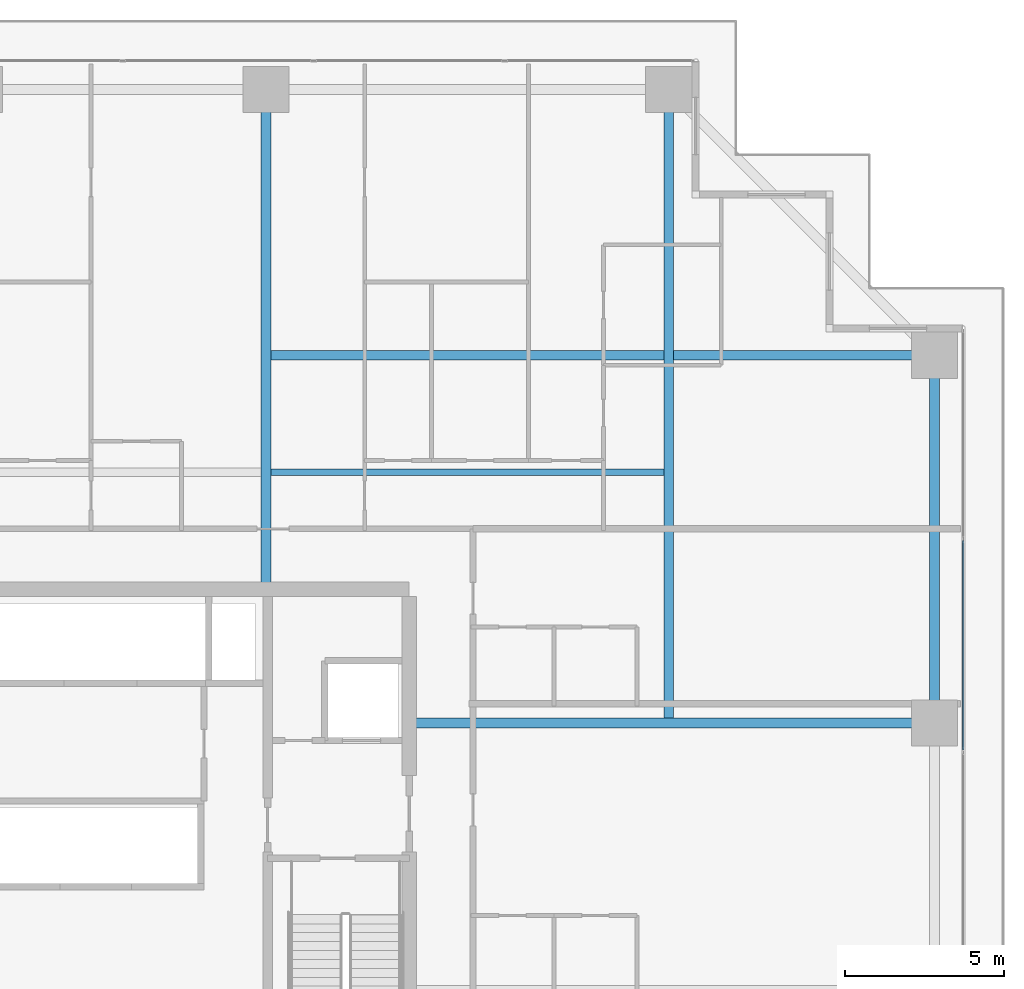
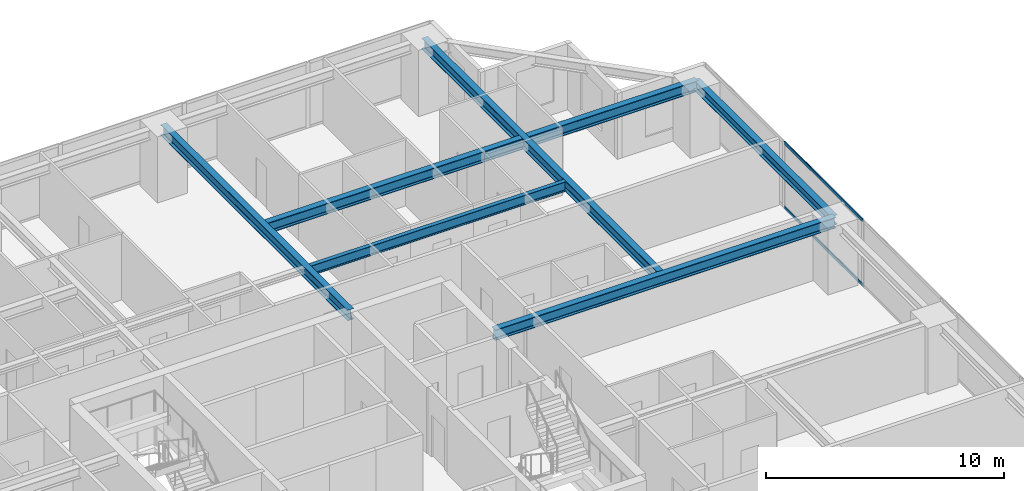
# One storey, part 22 of 40: 6 beams, 2 members, 1 element without a shape of its own.
"""IFC4 building model written with IfcOpenShell, lengths in metres."""

from ifc_helpers import new_model, si_unit, direction, frame, origin, origin_2d, place, context, subcontext, project, spatial, hollow_rectangle, i_section, extrude, source, transform, mapped, material, layer, layer_set, material_profile, profile_set, type_object, element, aggregate, save


model = new_model("IFC4")

# Units and contexts
model_context = context("Model", 3, precision=1e-05, world=origin(), true_north=direction((0.0, 1.0)))
body_context = subcontext(model_context, "Body", "Model", "MODEL_VIEW")
ifc_project = project(units=[si_unit("LENGTHUNIT", "METRE"), si_unit("AREAUNIT", "SQUARE_METRE"), si_unit("VOLUMEUNIT", "CUBIC_METRE"), si_unit("PLANEANGLEUNIT", "RADIAN"), si_unit("MASSUNIT", "GRAM", prefix="KILO")], contexts=[model_context])

# Site, building, storey
site_placement = place(None, origin())
site = spatial("IfcSite", under=ifc_project, at=site_placement, CompositionType="ELEMENT")
building_placement = place(site_placement, origin())
building = spatial("IfcBuilding", under=site, at=building_placement, Name="Serunith Strait Residences", CompositionType="ELEMENT")
storey_placement = place(building_placement, frame((0.0, 0.0, 105.449951171875)))
storey = spatial("IfcBuildingStorey", under=building, at=storey_placement, Name="L26", CompositionType="ELEMENT", Elevation=105.449951171875)

# Beams
ifc_material_1 = material(Name="Steel S355J2", Category="steel")
ifc_material_profile_1 = material_profile(ifc_material_1, i_section(OverallWidth=0.300048828125, OverallDepth=0.550048828125, WebThickness=0.014892578125, FlangeThickness=0.029052734375, FilletRadius=0.027099609375, at=origin_2d()), Name="HEB 550")
ifc_profile_set_1 = profile_set([ifc_material_profile_1], Name="Steel S355J2")
beam_type_1 = type_object("IfcBeamType", Name="BM-HEB550", PredefinedType="BEAM", material=ifc_profile_set_1)
shared_shape_1 = source(origin(), body_context, "Body", "SweptSolid", [
    extrude(i_section(OverallWidth=0.300048828125, OverallDepth=0.550048828125, WebThickness=0.014892578125, FlangeThickness=0.029052734375, FilletRadius=0.027099609375, at=origin_2d()), origin(), (0.0, 0.0, 1.0), 15.699951171875),
])
beam_1_placement = place(storey_placement, frame((36.89990234375, 33.60009765625, 3.112060546875), z_axis=(0.0, 1.0, 0.0), x_axis=(-1.0, 0.0, 0.0)))
element("IfcBeam", 1, at=beam_1_placement, inside=storey, type_object=beam_type_1, Name="L26 Primary Floor Girder TC-N3", PredefinedType="BEAM", context=body_context, shape_type="MappedRepresentation", body=[
    mapped(shared_shape_1, transform((0.0, 0.0, 0.0), scale=1.0)),
])
shared_shape_2 = source(origin(), body_context, "Body", "SweptSolid", [
    extrude(i_section(OverallWidth=0.300048828125, OverallDepth=0.550048828125, WebThickness=0.014892578125, FlangeThickness=0.029052734375, FilletRadius=0.027099609375, at=origin_2d()), origin(), (0.0, 0.0, 1.0), 16.5),
])
beam_2_placement = place(storey_placement, frame((41.39990234375, 29.39990234375, 3.112060546875), z_axis=(1.0, 0.0, 0.0), x_axis=(0.0, 1.0, 0.0)))
element("IfcBeam", 2, at=beam_2_placement, inside=storey, type_object=beam_type_1, Name="L26 Primary Floor Girder TC-E3", PredefinedType="BEAM", context=body_context, shape_type="MappedRepresentation", body=[
    mapped(shared_shape_2, transform((0.0, 0.0, 0.0), scale=1.0)),
])
shared_shape_3 = source(origin(), body_context, "Body", "SweptSolid", [
    extrude(i_section(OverallWidth=0.300048828125, OverallDepth=0.550048828125, WebThickness=0.014892578125, FlangeThickness=0.029052734375, FilletRadius=0.027099609375, at=origin_2d()), origin(), (0.0, 0.0, 1.0), 19.900146484375),
])
beam_3_placement = place(storey_placement, frame((49.550048828125, 29.39990234375, 3.112060546875), z_axis=(0.0, 1.0, 0.0), x_axis=(-1.0, 0.0, 0.0)))
element("IfcBeam", 3, at=beam_3_placement, inside=storey, type_object=beam_type_1, Name="L26 Orthogonal Corner Girder TC-N4", PredefinedType="BEAM", context=body_context, shape_type="MappedRepresentation", body=[
    mapped(shared_shape_3, transform((0.0, 0.0, 0.0), scale=1.0)),
])
shared_shape_4 = source(origin(), body_context, "Body", "SweptSolid", [
    extrude(i_section(OverallWidth=0.300048828125, OverallDepth=0.550048828125, WebThickness=0.014892578125, FlangeThickness=0.029052734375, FilletRadius=0.027099609375, at=origin_2d()), origin(), (0.0, 0.0, 1.0), 21.0),
])
beam_4_placement = place(storey_placement, frame((36.89990234375, 40.949951171875, 3.112060546875), z_axis=(1.0, 0.0, 0.0), x_axis=(0.0, 1.0, 0.0)))
element("IfcBeam", 4, at=beam_4_placement, inside=storey, type_object=beam_type_1, Name="L26 Orthogonal Corner Girder TC-E4", PredefinedType="BEAM", context=body_context, shape_type="MappedRepresentation", body=[
    mapped(shared_shape_4, transform((0.0, 0.0, 0.0), scale=1.0)),
])
ifc_material_profile_2 = material_profile(ifc_material_1, i_section(OverallWidth=0.300048828125, OverallDepth=0.5, WebThickness=0.014404296875, FlangeThickness=0.028076171875, FilletRadius=0.027099609375, at=origin_2d()), Name="HEB 500")
ifc_profile_set_2 = profile_set([ifc_material_profile_2], Name="Steel S355J2")
beam_type_2 = type_object("IfcBeamType", Name="BM-HEB500", PredefinedType="BEAM", material=ifc_profile_set_2)
shared_shape_5 = source(origin(), body_context, "Body", "SweptSolid", [
    extrude(i_section(OverallWidth=0.300048828125, OverallDepth=0.5, WebThickness=0.014404296875, FlangeThickness=0.028076171875, FilletRadius=0.027099609375, at=origin_2d()), origin(), (0.0, 0.0, 1.0), 11.550048828125),
])
beam_5_placement = place(storey_placement, frame((57.89990234375, 29.39990234375, 3.136962890625), z_axis=(0.0, 1.0, 0.0), x_axis=(-1.0, 0.0, 0.0)))
element("IfcBeam", 5, at=beam_5_placement, inside=storey, type_object=beam_type_2, Name="L26 Perimeter Ring Beam 07", PredefinedType="BEAM", context=body_context, shape_type="MappedRepresentation", body=[
    mapped(shared_shape_5, transform((0.0, 0.0, 0.0), scale=1.0)),
])
ifc_material_profile_3 = material_profile(ifc_material_1, i_section(OverallWidth=0.199951171875, OverallDepth=0.5, WebThickness=0.01025390625, FlangeThickness=0.01611328125, FilletRadius=0.02099609375, at=origin_2d()), Name="IPE 500")
ifc_profile_set_3 = profile_set([ifc_material_profile_3], Name="Steel S355J2")
beam_type_3 = type_object("IfcBeamType", Name="BM-IPE500", PredefinedType="JOIST", material=ifc_profile_set_3)
shared_shape_6 = source(origin(), body_context, "Body", "SweptSolid", [
    extrude(i_section(OverallWidth=0.199951171875, OverallDepth=0.5, WebThickness=0.01025390625, FlangeThickness=0.01611328125, FilletRadius=0.02099609375, at=origin_2d()), origin(), (0.0, 0.0, 1.0), 12.349853515625),
])
beam_6_placement = place(storey_placement, frame((37.050048828125, 37.27490234375, 3.136962890625), z_axis=(1.0, 0.0, 0.0), x_axis=(0.0, 1.0, 0.0)))
element("IfcBeam", 6, at=beam_6_placement, inside=storey, type_object=beam_type_3, Name="L26 Composite Floor Joist 06", PredefinedType="JOIST", context=body_context, shape_type="MappedRepresentation", body=[
    mapped(shared_shape_6, transform((0.0, 0.0, 0.0), scale=1.0)),
])

# Curtain wall, members
ifc_material_2 = material(Name="Pale-Champagne Anodised Aluminium", Category="aluminium")
ifc_layer = layer(ifc_material_2, 0.199951171875, Name="Pale-Champagne Anodised Aluminium")
ifc_layer_set = layer_set([ifc_layer], Name="Pale-Champagne Anodised Aluminium")
curtain_wall_type = type_object("IfcCurtainWallType", Name="CW-SYS1", PredefinedType="NOTDEFINED", material=ifc_layer_set)
curtain_wall_placement = place(storey_placement, origin())
curtain_wall = element("IfcCurtainWall", 7, at=curtain_wall_placement, inside=storey, type_object=curtain_wall_type, Name="L26 E Unitised Fritted Curtain Wall", PredefinedType="NOTDEFINED")
ifc_material_profile_4 = material_profile(ifc_material_2, hollow_rectangle(XDim=0.06005859375, YDim=0.159912109375, WallThickness=0.00341796875, InnerFilletRadius=0.00537109375, OuterFilletRadius=0.0087890625, at=origin_2d()), Name="ALU 160x60x3.5")
ifc_profile_set_4 = profile_set([ifc_material_profile_4], Name="Pale-Champagne Anodised Aluminium")
member_type = type_object("IfcMemberType", Name="CW-SYS1-TRAN", PredefinedType="USERDEFINED", material=ifc_profile_set_4)
shared_shape_7 = source(origin(), body_context, "Body", "SweptSolid", [
    extrude(hollow_rectangle(XDim=0.06005859375, YDim=0.159912109375, WallThickness=0.00341796875, InnerFilletRadius=0.00537109375, OuterFilletRadius=0.0087890625, at=origin_2d()), origin(), (0.0, 0.0, 1.0), 6.570068359375),
])
member_1_placement = place(storey_placement, frame((58.800048828125, 28.554931640625, 0.030029296875), z_axis=(0.0, 1.0, 0.0), x_axis=(-1.0, 0.0, 0.0)))
member_1 = element("IfcMember", 8, at=member_1_placement, type_object=member_type, Name="CW-1 transom 4.1", ObjectType="TRANSOM", PredefinedType="USERDEFINED", context=body_context, shape_type="MappedRepresentation", body=[
    mapped(shared_shape_7, transform((0.0, 0.0, 0.0), scale=1.0)),
])
member_2_placement = place(storey_placement, frame((58.800048828125, 28.554931640625, 3.344970703125), z_axis=(0.0, 1.0, 0.0), x_axis=(-1.0, 0.0, 0.0)))
member_2 = element("IfcMember", 9, at=member_2_placement, type_object=member_type, Name="CW-1 transom 4.2", ObjectType="TRANSOM", PredefinedType="USERDEFINED", context=body_context, shape_type="MappedRepresentation", body=[
    mapped(shared_shape_7, transform((0.0, 0.0, 0.0), scale=1.0)),
])
aggregate(curtain_wall, [member_1, member_2])

save(model, "model.ifc")
